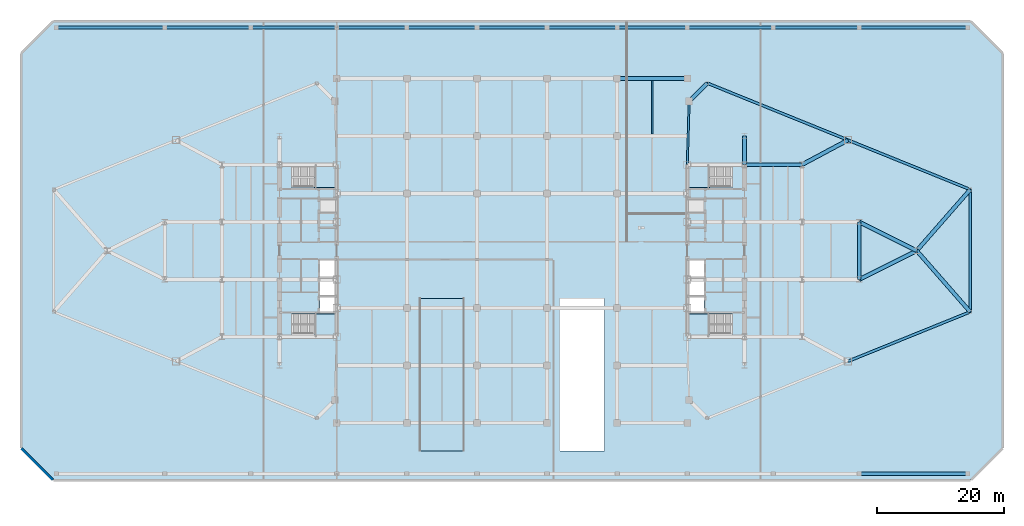
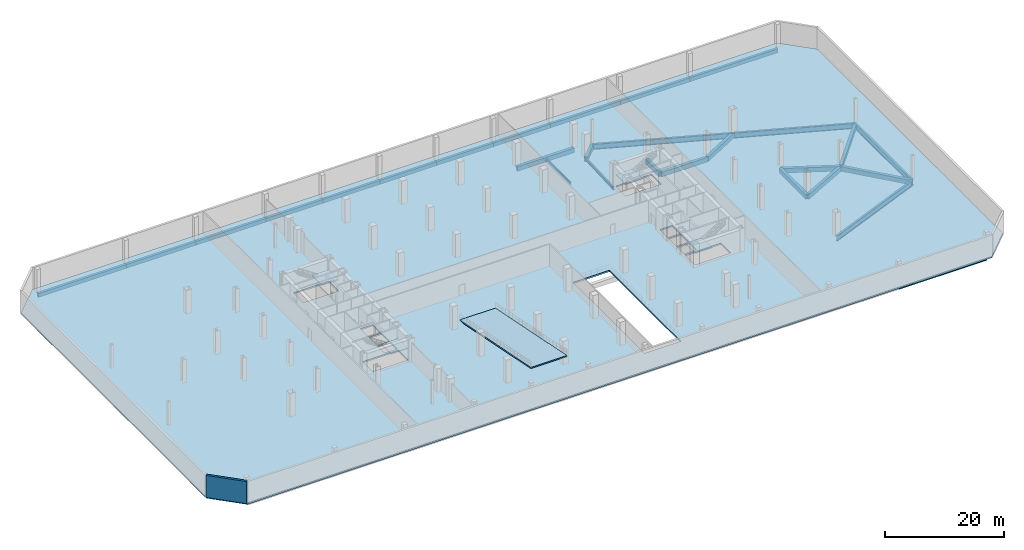
# One storey, part 8 of 18: 28 beams, 6 slabs, 1 wall, 4 elements without a shape of their own.
"""IFC4 building model written with IfcOpenShell, lengths in metres."""

from ifc_helpers import new_model, si_unit, direction, frame, frame_2d, origin, origin_2d, place, context, subcontext, project, spatial, polyline, rectangle, i_section, outline, extrude, source, transform, mapped, material, layer, layer_set, material_profile, profile_set, type_object, type_shapes, element, aggregate, save


model = new_model("IFC4")

# Units and contexts
model_context = context("Model", 3, precision=1e-05, world=origin(), true_north=direction((0.0, 1.0)))
body_context = subcontext(model_context, "Body", "Model", "MODEL_VIEW")
ifc_project = project(units=[si_unit("LENGTHUNIT", "METRE"), si_unit("AREAUNIT", "SQUARE_METRE"), si_unit("VOLUMEUNIT", "CUBIC_METRE"), si_unit("PLANEANGLEUNIT", "RADIAN"), si_unit("MASSUNIT", "GRAM", prefix="KILO")], contexts=[model_context])

# Site, building, storey
site_placement = place(None, origin())
site = spatial("IfcSite", under=ifc_project, at=site_placement, CompositionType="ELEMENT")
building_placement = place(site_placement, origin())
building = spatial("IfcBuilding", under=site, at=building_placement, Name="Seokmaru Belvedere", CompositionType="ELEMENT")
storey_placement = place(building_placement, frame((0.0, 0.0, -4.800048828125)))
storey = spatial("IfcBuildingStorey", under=building, at=storey_placement, Name="B1", CompositionType="ELEMENT", Elevation=-4.800048828125)

# Beams
ifc_material_1 = material(Name="Concrete C50 (50 MPa)", Category="concrete")
ifc_material_profile_1 = material_profile(ifc_material_1, rectangle(XDim=0.60009765625, YDim=0.949951171875, at=origin_2d()), Name="RC-600x950")
ifc_profile_set_1 = profile_set([ifc_material_profile_1], Name="Concrete C50 (50 MPa)")
beam_type_1 = type_object("IfcBeamType", Name="Basement Concrete Tie Girder RC-600x950", PredefinedType="BEAM", material=ifc_profile_set_1)
shared_shape_1 = source(origin(), body_context, "Body", "SweptSolid", [
    extrude(rectangle(XDim=0.60009765625, YDim=0.949951171875, at=origin_2d()), origin(), (0.0, 0.0, 1.0), 4.5),
])
beam_1_placement = place(storey_placement, frame((36.5, 13.5, -0.77490234375), z_axis=(0.0, 1.0, 0.0), x_axis=(-1.0, 0.0, 0.0)))
element("IfcBeam", 1, at=beam_1_placement, inside=storey, type_object=beam_type_1, Name="B1 E Core Shoulder Girder N", PredefinedType="BEAM", context=body_context, shape_type="MappedRepresentation", body=[
    mapped(shared_shape_1, transform((0.0, 0.0, 0.0), scale=1.0)),
])
shared_shape_2 = source(origin(), body_context, "Body", "SweptSolid", [
    extrude(rectangle(XDim=0.60009765625, YDim=0.949951171875, at=origin_2d()), origin(), (0.0, 0.0, 1.0), 9.0),
])
for number, where, z_axis, x_axis, name in (
    (2, (36.5, 13.5, -0.77490234375), (1.0, 0.0, 0.0), (0.0, 1.0, 0.0), "B1 E Wing Primary Girder 4"),
    (3, (54.5, -4.5, -0.77490234375), (0.0, 1.0, 0.0), (-1.0, 0.0, 0.0), "B1 E Apex Frame Girder"),
):
    element("IfcBeam", number, at=place(storey_placement, frame(where, z_axis=z_axis, x_axis=x_axis)), inside=storey, type_object=beam_type_1, Name=name, PredefinedType="BEAM", context=body_context, shape_type="MappedRepresentation", body=[
        mapped(shared_shape_2, transform((0.0, 0.0, 0.0), scale=1.0)),
    ])
shared_shape_3 = source(origin(), body_context, "Body", "SweptSolid", [
    extrude(rectangle(XDim=0.60009765625, YDim=0.949951171875, at=origin_2d()), origin(), (0.0, 0.0, 1.0), 10.062255859375),
])
for number, where, z_axis, x_axis, name in (
    (4, (54.5, -4.5, -0.77490234375), (0.894427191, 0.4472135955, 0.0), (-0.4472135955, 0.894427191, 0.0), "B1 E Apex Converging Girder 1"),
    (5, (54.5, 4.5, -0.77490234375), (0.894427191, -0.4472135955, 0.0), (0.4472135955, 0.894427191, 0.0), "B1 E Apex Converging Girder 2"),
):
    element("IfcBeam", number, at=place(storey_placement, frame(where, z_axis=z_axis, x_axis=x_axis)), inside=storey, type_object=beam_type_1, Name=name, PredefinedType="BEAM", context=body_context, shape_type="MappedRepresentation", body=[
        mapped(shared_shape_3, transform((0.0, 0.0, 0.0), scale=1.0)),
    ])
ifc_material_2 = material(Name="Steel SM355 (355 MPa)", Category="steel")
ifc_material_profile_2 = material_profile(ifc_material_2, i_section(OverallWidth=0.199951171875, OverallDepth=0.449951171875, WebThickness=0.009033203125, FlangeThickness=0.013916015625, at=origin_2d()), Name="H-450x200x9x14")
ifc_profile_set_2 = profile_set([ifc_material_profile_2], Name="Steel SM355 (355 MPa)")
beam_type_2 = type_object("IfcBeamType", Name="Podium Secondary Joist H-450", PredefinedType="JOIST", material=ifc_profile_set_2)
shared_shape_4 = source(origin(), body_context, "Body", "SweptSolid", [
    extrude(i_section(OverallWidth=0.199951171875, OverallDepth=0.449951171875, WebThickness=0.009033203125, FlangeThickness=0.013916015625, at=origin_2d()), origin(), (0.0, 0.0, 1.0), 8.39013671875),
])
type_shapes(beam_type_2, [shared_shape_4])
beam_2_placement = place(storey_placement, frame((22.0, 18.304931640625, -0.52490234375), z_axis=(0.0, 1.0, 0.0), x_axis=(-1.0, 0.0, 0.0)))
element("IfcBeam", 6, at=beam_2_placement, inside=storey, type_object=beam_type_2, Name="B1 Central Podium Secondary Joist 5-4", PredefinedType="JOIST", context=body_context, shape_type="MappedRepresentation", body=[
    mapped(shared_shape_4, transform((0.0, 0.0, 0.0), scale=1.0)),
])
ifc_material_profile_3 = material_profile(ifc_material_2, i_section(OverallWidth=0.39990234375, OverallDepth=1.10009765625, WebThickness=0.02001953125, FlangeThickness=0.033935546875, at=origin_2d()), Name="BH-1100x400x20x34")
ifc_profile_set_3 = profile_set([ifc_material_profile_3], Name="Steel SM355 (355 MPa)")
beam_type_3 = type_object("IfcBeamType", Name="Sky-Gate Transverse Girder BH-1100", PredefinedType="BEAM", material=ifc_profile_set_3)
shared_shape_5 = source(origin(), body_context, "Body", "SweptSolid", [
    extrude(i_section(OverallWidth=0.39990234375, OverallDepth=1.10009765625, WebThickness=0.02001953125, FlangeThickness=0.033935546875, at=origin_2d()), origin(), (0.0, 0.0, 1.0), 23.811767578125),
])
beam_3_placement = place(storey_placement, frame((30.643310546875, 26.294677734375, -0.849853515625), z_axis=(0.92694579442, -0.375195274766, 0.0), x_axis=(0.375195274766, 0.92694579442, 0.0)))
element("IfcBeam", 7, at=beam_3_placement, inside=storey, type_object=beam_type_3, Name="B1 E Podium Long-Span Flank Girder N-1", PredefinedType="BEAM", context=body_context, shape_type="MappedRepresentation", body=[
    mapped(shared_shape_5, transform((0.0, 0.0, 0.0), scale=1.0)),
])
shared_shape_6 = source(origin(), body_context, "Body", "SweptSolid", [
    extrude(i_section(OverallWidth=0.39990234375, OverallDepth=1.10009765625, WebThickness=0.02001953125, FlangeThickness=0.033935546875, at=origin_2d()), origin(), (0.0, 0.0, 1.0), 20.6962890625),
])
for number, where, z_axis, x_axis, name in (
    (8, (52.715576171875, -17.360595703125, -0.849853515625), (0.92695003666, 0.37518479385, 0.0), (-0.37518479385, 0.92695003666, 0.0), "B1 E Podium Long-Span Flank Girder S-2"),
    (9, (52.715576171875, 17.360595703125, -0.849853515625), (0.92695003666, -0.37518479385, 0.0), (0.37518479385, 0.92695003666, 0.0), "B1 E Podium Long-Span Flank Girder N-2"),
):
    element("IfcBeam", number, at=place(storey_placement, frame(where, z_axis=z_axis, x_axis=x_axis)), inside=storey, type_object=beam_type_3, Name=name, PredefinedType="BEAM", context=body_context, shape_type="MappedRepresentation", body=[
        mapped(shared_shape_6, transform((0.0, 0.0, 0.0), scale=1.0)),
    ])
shared_shape_7 = source(origin(), body_context, "Body", "SweptSolid", [
    extrude(i_section(OverallWidth=0.39990234375, OverallDepth=1.10009765625, WebThickness=0.02001953125, FlangeThickness=0.033935546875, at=origin_2d()), origin(), (0.0, 0.0, 1.0), 19.19140625),
])
type_shapes(beam_type_3, [shared_shape_5, shared_shape_6, shared_shape_7])
beam_4_placement = place(storey_placement, frame((71.89990234375, -9.595703125, -0.849853515625), z_axis=(0.0, 1.0, 0.0), x_axis=(-1.0, 0.0, 0.0)))
element("IfcBeam", 10, at=beam_4_placement, inside=storey, type_object=beam_type_3, Name="B1 E Podium Long-Span Apex Girder", PredefinedType="BEAM", context=body_context, shape_type="MappedRepresentation", body=[
    mapped(shared_shape_7, transform((0.0, 0.0, 0.0), scale=1.0)),
])
shared_shape_8 = source(origin(), body_context, "Body", "SweptSolid", [
    extrude(rectangle(XDim=0.60009765625, YDim=0.949951171875, at=origin_2d()), origin(), (0.0, 0.0, 1.0), 4.02099609375),
])
beam_5_placement = place(storey_placement, frame((30.643310546875, 26.294677734375, -0.77490234375), z_axis=(-0.707106781187, -0.707106781187, 0.0), x_axis=(0.707106781187, -0.707106781187, 0.0)))
element("IfcBeam", 11, at=beam_5_placement, inside=storey, type_object=beam_type_1, Name="B1 E Podium North Shoulder Girder", PredefinedType="BEAM", context=body_context, shape_type="MappedRepresentation", body=[
    mapped(shared_shape_8, transform((0.0, 0.0, 0.0), scale=1.0)),
])
ifc_material_profile_4 = material_profile(ifc_material_2, i_section(OverallWidth=0.300048828125, OverallDepth=0.587890625, WebThickness=0.011962890625, FlangeThickness=0.02001953125, at=origin_2d()), Name="H-588x300x12x20")
ifc_profile_set_4 = profile_set([ifc_material_profile_4], Name="Steel SM355 (355 MPa)")
beam_type_4 = type_object("IfcBeamType", Name="Podium Edge Spandrel Beam H-588", PredefinedType="SPANDREL", material=ifc_profile_set_4)
shared_shape_9 = source(origin(), body_context, "Body", "SweptSolid", [
    extrude(i_section(OverallWidth=0.300048828125, OverallDepth=0.587890625, WebThickness=0.011962890625, FlangeThickness=0.02001953125, at=origin_2d()), origin(), (0.0, 0.0, 1.0), 9.9560546875),
])
type_shapes(beam_type_4, [shared_shape_9])
beam_6_placement = place(storey_placement, frame((27.800048828125, 23.451416015625, -0.593994140625), z_axis=(-0.030137674137, -0.999545757131, 0.0), x_axis=(0.999545757131, -0.030137674137, 0.0)))
element("IfcBeam", 12, at=beam_6_placement, inside=storey, type_object=beam_type_4, Name="B1 E Podium Spine Shoulder Tie N", PredefinedType="SPANDREL", context=body_context, shape_type="MappedRepresentation", body=[
    mapped(shared_shape_9, transform((0.0, 0.0, 0.0), scale=1.0)),
])
shared_shape_10 = source(origin(), body_context, "Body", "SweptSolid", [
    extrude(rectangle(XDim=0.60009765625, YDim=0.949951171875, at=origin_2d()), origin(), (0.0, 0.0, 1.0), 8.183349609375),
])
beam_7_placement = place(storey_placement, frame((52.715576171875, 17.360595703125, -0.77490234375), z_axis=(-0.881728657166, -0.47175690258, 0.0), x_axis=(0.47175690258, -0.881728657166, 0.0)))
element("IfcBeam", 13, at=beam_7_placement, inside=storey, type_object=beam_type_1, Name="B1 E Flank Radial Floor Girder N-2", PredefinedType="BEAM", context=body_context, shape_type="MappedRepresentation", body=[
    mapped(shared_shape_10, transform((0.0, 0.0, 0.0), scale=1.0)),
])
shared_shape_11 = source(origin(), body_context, "Body", "SweptSolid", [
    extrude(rectangle(XDim=0.60009765625, YDim=0.949951171875, at=origin_2d()), origin(), (0.0, 0.0, 1.0), 12.7529296875),
])
for number, where, z_axis, x_axis, name in (
    (14, (71.89990234375, -9.595703125, -0.77490234375), (-0.658667231479, 0.752434368019, 0.0), (-0.752434368019, -0.658667231479, 0.0), "B1 E Apex Radial Floor Girder 1"),
    (15, (71.89990234375, 9.595703125, -0.77490234375), (-0.658667231479, -0.752434368019, 0.0), (0.752434368019, -0.658667231479, 0.0), "B1 E Apex Radial Floor Girder 2"),
):
    element("IfcBeam", number, at=place(storey_placement, frame(where, z_axis=z_axis, x_axis=x_axis)), inside=storey, type_object=beam_type_1, Name=name, PredefinedType="BEAM", context=body_context, shape_type="MappedRepresentation", body=[
        mapped(shared_shape_11, transform((0.0, 0.0, 0.0), scale=1.0)),
    ])
shared_shape_12 = source(origin(), body_context, "Body", "SweptSolid", [
    extrude(rectangle(XDim=0.60009765625, YDim=0.949951171875, at=origin_2d()), origin(), (0.0, 0.0, 1.0), 11.0),
])
type_shapes(beam_type_1, [shared_shape_1, shared_shape_2, shared_shape_3, shared_shape_8, shared_shape_10, shared_shape_11, shared_shape_12])
beam_8_placement = place(storey_placement, frame((16.5, 27.0, -0.77490234375), z_axis=(1.0, 0.0, 0.0), x_axis=(0.0, 1.0, 0.0)))
element("IfcBeam", 16, at=beam_8_placement, inside=storey, type_object=beam_type_1, Name="B1 Central Podium Girder 6-5", PredefinedType="BEAM", context=body_context, shape_type="MappedRepresentation", body=[
    mapped(shared_shape_12, transform((0.0, 0.0, 0.0), scale=1.0)),
])
ifc_material_profile_5 = material_profile(ifc_material_1, rectangle(XDim=0.5, YDim=0.800048828125, at=origin_2d()), Name="RC-500x800")
ifc_profile_set_5 = profile_set([ifc_material_profile_5], Name="Concrete C50 (50 MPa)")
beam_type_5 = type_object("IfcBeamType", Name="Plaza Perimeter Concrete Edge Beam RC-500x800", PredefinedType="BEAM", material=ifc_profile_set_5)
shared_shape_13 = source(origin(), body_context, "Body", "SweptSolid", [
    extrude(rectangle(XDim=0.5, YDim=0.800048828125, at=origin_2d()), origin(), (0.0, 0.0, 1.0), 17.0),
])
for number, where, z_axis, x_axis, name in (
    (17, (54.5, -35.0, -0.699951171875), (1.0, 0.0, 0.0), (0.0, 1.0, 0.0), "B1 Plaza Substructure Edge Beam S-11"),
    (18, (-71.5, 35.0, -0.699951171875), (1.0, 0.0, 0.0), (0.0, 1.0, 0.0), "B1 Plaza Substructure Edge Beam N-1"),
    (19, (54.5, 35.0, -0.699951171875), (1.0, 0.0, 0.0), (0.0, 1.0, 0.0), "B1 Plaza Substructure Edge Beam N-11"),
):
    element("IfcBeam", number, at=place(storey_placement, frame(where, z_axis=z_axis, x_axis=x_axis)), inside=storey, type_object=beam_type_5, Name=name, PredefinedType="BEAM", context=body_context, shape_type="MappedRepresentation", body=[
        mapped(shared_shape_13, transform((0.0, 0.0, 0.0), scale=1.0)),
    ])
shared_shape_14 = source(origin(), body_context, "Body", "SweptSolid", [
    extrude(rectangle(XDim=0.5, YDim=0.800048828125, at=origin_2d()), origin(), (0.0, 0.0, 1.0), 13.5),
])
for number, where, z_axis, x_axis, name in (
    (20, (-54.5, 35.0, -0.699951171875), (1.0, 0.0, 0.0), (0.0, 1.0, 0.0), "B1 Plaza Substructure Edge Beam N-2"),
    (21, (-41.0, 35.0, -0.699951171875), (1.0, 0.0, 0.0), (0.0, 1.0, 0.0), "B1 Plaza Substructure Edge Beam N-3"),
    (22, (27.5, 35.0, -0.699951171875), (1.0, 0.0, 0.0), (0.0, 1.0, 0.0), "B1 Plaza Substructure Edge Beam N-9"),
    (23, (41.0, 35.0, -0.699951171875), (1.0, 0.0, 0.0), (0.0, 1.0, 0.0), "B1 Plaza Substructure Edge Beam N-10"),
):
    element("IfcBeam", number, at=place(storey_placement, frame(where, z_axis=z_axis, x_axis=x_axis)), inside=storey, type_object=beam_type_5, Name=name, PredefinedType="BEAM", context=body_context, shape_type="MappedRepresentation", body=[
        mapped(shared_shape_14, transform((0.0, 0.0, 0.0), scale=1.0)),
    ])
shared_shape_15 = source(origin(), body_context, "Body", "SweptSolid", [
    extrude(rectangle(XDim=0.5, YDim=0.800048828125, at=origin_2d()), origin(), (0.0, 0.0, 1.0), 11.0),
])
type_shapes(beam_type_5, [shared_shape_13, shared_shape_14, shared_shape_15])
for number, where, z_axis, x_axis, name in (
    (24, (-27.5, 35.0, -0.699951171875), (1.0, 0.0, 0.0), (0.0, 1.0, 0.0), "B1 Plaza Substructure Edge Beam N-4"),
    (25, (-16.5, 35.0, -0.699951171875), (1.0, 0.0, 0.0), (0.0, 1.0, 0.0), "B1 Plaza Substructure Edge Beam N-5"),
    (26, (-5.5, 35.0, -0.699951171875), (1.0, 0.0, 0.0), (0.0, 1.0, 0.0), "B1 Plaza Substructure Edge Beam N-6"),
    (27, (5.5, 35.0, -0.699951171875), (1.0, 0.0, 0.0), (0.0, 1.0, 0.0), "B1 Plaza Substructure Edge Beam N-7"),
    (28, (16.5, 35.0, -0.699951171875), (1.0, 0.0, 0.0), (0.0, 1.0, 0.0), "B1 Plaza Substructure Edge Beam N-8"),
):
    element("IfcBeam", number, at=place(storey_placement, frame(where, z_axis=z_axis, x_axis=x_axis)), inside=storey, type_object=beam_type_5, Name=name, PredefinedType="BEAM", context=body_context, shape_type="MappedRepresentation", body=[
        mapped(shared_shape_15, transform((0.0, 0.0, 0.0), scale=1.0)),
    ])

# Slab
ifc_layer_1 = layer(ifc_material_1, 0.300048828125)
ifc_layer_set_1 = layer_set([ifc_layer_1], Name="Concrete C50 (50 MPa)")
slab_type_1 = type_object("IfcSlabType", Name="Basement Suspended Slab 300", PredefinedType="FLOOR", material=ifc_layer_set_1)
slab_1_placement = place(storey_placement, frame((0.0, 0.0, -0.300048828125)))
element("IfcSlab", 29, at=slab_1_placement, inside=storey, type_object=slab_type_1, Name="B1 Structural Floor Slab", PredefinedType="FLOOR", context=body_context, shape_type="SweptSolid", body=[
    extrude(outline(polyline([(-72.0, -36.0), (72.0, -36.0), (77.0, -31.0), (77.0, 31.0), (72.0, 36.0), (-72.0, 36.0), (-77.0, 31.0), (-77.0, -31.0), (-72.0, -36.0)]), holes=[polyline([(-34.60009765625, -13.25), (-27.75, -13.25), (-27.75, -9.949951171875), (-34.60009765625, -9.949951171875), (-34.60009765625, -13.25)]), polyline([(-34.60009765625, 9.949951171875), (-27.75, 9.949951171875), (-27.75, 13.25), (-34.60009765625, 13.25), (-34.60009765625, 9.949951171875)]), polyline([(27.75, -13.25), (34.60009765625, -13.25), (34.60009765625, -9.949951171875), (27.75, -9.949951171875), (27.75, -13.25)]), polyline([(27.75, 9.949951171875), (34.60009765625, 9.949951171875), (34.60009765625, 13.25), (27.75, 13.25), (27.75, 9.949951171875)]), polyline([(-30.14990234375, -9.550048828125), (-27.75, -9.550048828125), (-27.75, -7.25), (-30.14990234375, -7.25), (-30.14990234375, -9.550048828125)]), polyline([(-30.14990234375, -6.949951171875), (-27.75, -6.949951171875), (-27.75, -4.35009765625), (-30.14990234375, -4.35009765625), (-30.14990234375, -6.949951171875)]), polyline([(-30.14990234375, -4.050048828125), (-27.75, -4.050048828125), (-27.75, -1.449951171875), (-30.14990234375, -1.449951171875), (-30.14990234375, -4.050048828125)]), polyline([(27.75, -9.550048828125), (30.14990234375, -9.550048828125), (30.14990234375, -7.25), (27.75, -7.25), (27.75, -9.550048828125)]), polyline([(27.75, -6.949951171875), (30.14990234375, -6.949951171875), (30.14990234375, -4.35009765625), (27.75, -4.35009765625), (27.75, -6.949951171875)]), polyline([(27.75, -4.050048828125), (30.14990234375, -4.050048828125), (30.14990234375, -1.449951171875), (27.75, -1.449951171875), (27.75, -4.050048828125)]), polyline([(7.5, -31.39990234375), (14.5, -31.39990234375), (14.5, -7.5), (7.5, -7.5), (7.5, -31.39990234375)])]), origin(), (0.0, 0.0, 1.0), 0.300048828125),
])

# Stair, slab
ifc_material_3 = material(Name="Concrete C40 (40 MPa)", Category="concrete")
stair_type = type_object("IfcStairType", Name="Basement Core Dog-Leg Stair 4800", PredefinedType="TWO_STRAIGHT_RUN_STAIR", material=ifc_material_3)
stair_1_placement = place(storey_placement, origin())
stair_1 = element("IfcStair", 30, at=stair_1_placement, inside=storey, type_object=stair_type, Name="B1 Special Escape Stair ST-W1", PredefinedType="TWO_STRAIGHT_RUN_STAIR")
ifc_layer_2 = layer(ifc_material_3, 0.199951171875)
ifc_layer_set_2 = layer_set([ifc_layer_2], Name="Concrete C40 (40 MPa)")
slab_type_2 = type_object("IfcSlabType", Name="Reinforced Concrete Stair Landing Slab 200", PredefinedType="LANDING", material=ifc_layer_set_2)
slab_2_placement = place(storey_placement, frame((0.0, 0.0, 2.199951171875)))
slab_2 = element("IfcSlab", 31, at=slab_2_placement, type_object=slab_type_2, Name="ST-W1 landing 1", PredefinedType="LANDING", context=body_context, shape_type="SweptSolid", body=[
    extrude(outline(polyline([(-31.0400390625, -13.239990234375), (-27.760009765625, -13.239990234375), (-27.760009765625, -9.949951171875), (-31.0400390625, -9.949951171875), (-31.0400390625, -13.239990234375)])), origin(), (0.0, 0.0, 1.0), 0.2001953125),
])
aggregate(stair_1, [slab_2])

stair_2_placement = place(storey_placement, origin())
stair_2 = element("IfcStair", 32, at=stair_2_placement, inside=storey, type_object=stair_type, Name="B1 Special Escape Stair ST-W2", PredefinedType="TWO_STRAIGHT_RUN_STAIR")
slab_3_placement = place(storey_placement, frame((0.0, 0.0, 2.199951171875)))
slab_3 = element("IfcSlab", 33, at=slab_3_placement, type_object=slab_type_2, Name="ST-W2 landing 1", PredefinedType="LANDING", context=body_context, shape_type="SweptSolid", body=[
    extrude(outline(polyline([(-31.0400390625, 9.949951171875), (-27.760009765625, 9.949951171875), (-27.760009765625, 13.239990234375), (-31.0400390625, 13.239990234375), (-31.0400390625, 9.949951171875)])), origin(), (0.0, 0.0, 1.0), 0.2001953125),
])
aggregate(stair_2, [slab_3])

stair_3_placement = place(storey_placement, origin())
stair_3 = element("IfcStair", 34, at=stair_3_placement, inside=storey, type_object=stair_type, Name="B1 Special Escape Stair ST-E1", PredefinedType="TWO_STRAIGHT_RUN_STAIR")
slab_4_placement = place(storey_placement, frame((0.0, 0.0, 2.199951171875)))
slab_4 = element("IfcSlab", 35, at=slab_4_placement, type_object=slab_type_2, Name="ST-E1 landing 1", PredefinedType="LANDING", context=body_context, shape_type="SweptSolid", body=[
    extrude(outline(polyline([(27.760009765625, -13.239990234375), (31.0400390625, -13.239990234375), (31.0400390625, -9.949951171875), (27.760009765625, -9.949951171875), (27.760009765625, -13.239990234375)])), origin(), (0.0, 0.0, 1.0), 0.2001953125),
])
aggregate(stair_3, [slab_4])

stair_4_placement = place(storey_placement, origin())
stair_4 = element("IfcStair", 36, at=stair_4_placement, inside=storey, type_object=stair_type, Name="B1 Special Escape Stair ST-E2", PredefinedType="TWO_STRAIGHT_RUN_STAIR")
slab_5_placement = place(storey_placement, frame((0.0, 0.0, 2.199951171875)))
slab_5 = element("IfcSlab", 37, at=slab_5_placement, type_object=slab_type_2, Name="ST-E2 landing 1", PredefinedType="LANDING", context=body_context, shape_type="SweptSolid", body=[
    extrude(outline(polyline([(27.760009765625, 9.949951171875), (31.0400390625, 9.949951171875), (31.0400390625, 13.239990234375), (27.760009765625, 13.239990234375), (27.760009765625, 9.949951171875)])), origin(), (0.0, 0.0, 1.0), 0.2001953125),
])
aggregate(stair_4, [slab_5])

# Slab
ifc_layer_3 = layer(ifc_material_3, 0.25)
ifc_layer_set_3 = layer_set([ifc_layer_3], Name="Concrete C40 (40 MPa)")
slab_type_3 = type_object("IfcSlabType", Name="Reinforced Concrete Vehicle Ramp Slab 250", PredefinedType="FLOOR", material=ifc_layer_set_3)
slab_6_placement = place(storey_placement, frame((-11.0, -7.5, 0.0), z_axis=(0.0, 0.0, 1.0), x_axis=(0.0, -1.0, 0.0)))
element("IfcSlab", 38, at=slab_6_placement, inside=storey, type_object=slab_type_3, Name="B1 to L00 Car Park Vehicle Ramp Slab", PredefinedType="FLOOR", context=body_context, shape_type="SweptSolid", body=[
    extrude(outline(polyline([(0.0, 0.0), (23.89990234375, 4.800048828125), (23.89990234375, 4.545166015625), (0.0, -0.2548828125), (0.0, 0.0)])), frame((0.0, 3.47998046875, 0.0), z_axis=(0.0, -1.0, 0.0), x_axis=(1.0, 0.0, 0.0)), (0.0, 0.0, 1.0), 6.9599609375),
])

# Wall
ifc_layer_4 = layer(ifc_material_1, 0.39990234375)
ifc_layer_set_4 = layer_set([ifc_layer_4], Name="Concrete C50 (50 MPa)")
wall_type = type_object("IfcWallType", Name="Upper Basement Retaining Wall 400", PredefinedType="USERDEFINED", material=ifc_layer_set_4)
wall_placement = place(storey_placement, frame((-76.9716796875, -31.0283203125, 0.0), z_axis=(0.0, 0.0, 1.0), x_axis=(0.707106781187, -0.707106781187, 0.0)))
element("IfcWall", 39, at=wall_placement, inside=storey, type_object=wall_type, Name="B1 Perimeter Retaining Wall 8", ObjectType="RETAININGWALL", PredefinedType="USERDEFINED", context=body_context, shape_type="SweptSolid", body=[
    extrude(rectangle(XDim=6.990966796875, YDim=0.39990234375, at=frame_2d((3.49560546875, 0.0))), origin(), (0.0, 0.0, 1.0), 4.52001953125),
])

save(model, "model.ifc")
